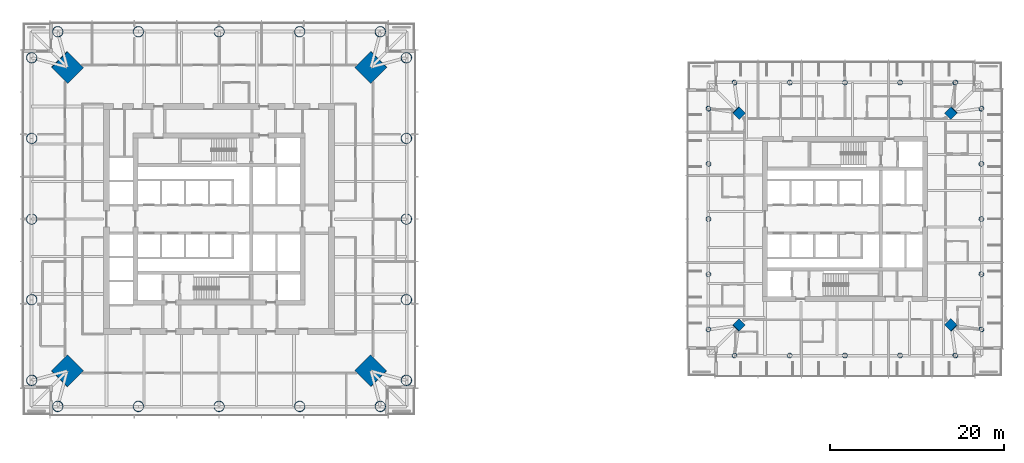
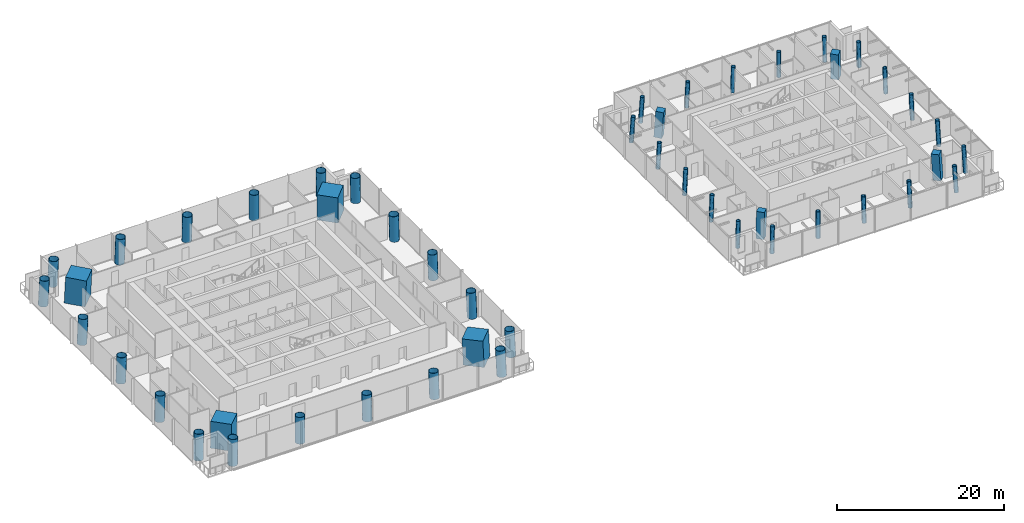
# One storey, part 1 of 18: 48 columns.
"""IFC4 building model written with IfcOpenShell, lengths in metres."""

from ifc_helpers import new_model, si_unit, direction, frame, origin, origin_2d, place, context, subcontext, project, spatial, rectangle, hollow_circle, extrude, material, material_profile, profile_set, type_object, element, save


model = new_model("IFC4")

# Units and contexts
model_context = context("Model", 3, precision=1e-05, world=origin(), true_north=direction((0.0, 1.0)))
body_context = subcontext(model_context, "Body", "Model", "MODEL_VIEW")
ifc_project = project(units=[si_unit("LENGTHUNIT", "METRE"), si_unit("AREAUNIT", "SQUARE_METRE"), si_unit("VOLUMEUNIT", "CUBIC_METRE"), si_unit("PLANEANGLEUNIT", "RADIAN"), si_unit("MASSUNIT", "GRAM", prefix="KILO")], contexts=[model_context])

# Site, building, storey
site_placement = place(None, origin())
site = spatial("IfcSite", under=ifc_project, at=site_placement, CompositionType="ELEMENT")
building_placement = place(site_placement, origin())
building = spatial("IfcBuilding", under=site, at=building_placement, Name="Ostroluk Exchange", CompositionType="ELEMENT")
storey_placement = place(building_placement, frame((0.0, 0.0, 97.0)))
storey = spatial("IfcBuildingStorey", under=building, at=storey_placement, Name="L24", CompositionType="ELEMENT", Elevation=97.0)

# Columns
ifc_material_1 = material(Name="Concrete C50/60", Category="concrete")
ifc_material_profile_1 = material_profile(ifc_material_1, rectangle(XDim=1.0, YDim=1.0, at=origin_2d()), Name="RC 1000x1000")
ifc_profile_set_1 = profile_set([ifc_material_profile_1], Name="Concrete C50/60")
column_type_1 = type_object("IfcColumnType", Name="Mega column RC 1000x1000", PredefinedType="COLUMN", material=ifc_profile_set_1)
for number, where, z_axis, x_axis, name in (
    (1, (129.22412109375, 58.22412109375, 0.0), (-0.043029647111, -0.043029647111, 0.998146732169), (0.707106781187, -0.707106781187, 0.0), "T2 mega column NE"),
    (2, (104.77587890625, 58.22412109375, 0.0), (0.043029647111, -0.043029647111, 0.998146732169), (0.707106781187, 0.707106781187, 0.0), "T2 mega column NW"),
    (3, (104.77587890625, 33.77587890625, 0.0), (0.043029647111, 0.043029647111, 0.998146732169), (-0.707106781187, 0.707106781187, 0.0), "T2 mega column SW"),
    (4, (129.22412109375, 33.77587890625, 0.0), (-0.043029647111, 0.043029647111, 0.998146732169), (-0.707106781187, -0.707106781187, 0.0), "T2 mega column SE"),
):
    element("IfcColumn", number, at=place(storey_placement, frame(where, z_axis=z_axis, x_axis=x_axis)), inside=storey, type_object=column_type_1, Name=name, PredefinedType="COLUMN", context=body_context, shape_type="SweptSolid", body=[
        extrude(rectangle(XDim=1.0, YDim=1.0, at=origin_2d()), origin(), (0.0, 0.0, 1.0), 3.80712890625),
    ])
ifc_material_2 = material(Name="Concrete C50/60", Category="concrete")
ifc_material_profile_2 = material_profile(ifc_material_2, rectangle(XDim=2.60009765625, YDim=2.60009765625, at=origin_2d()), Name="RC 2600x2600")
ifc_profile_set_2 = profile_set([ifc_material_profile_2], Name="Concrete C50/60")
column_type_2 = type_object("IfcColumnType", Name="Mega column RC 2600x2600", PredefinedType="COLUMN", material=ifc_profile_set_2)
for number, where, z_axis, x_axis, name in (
    (5, (62.471435546875, 63.471435546875, 0.0), (-0.031898107953, -0.031898107953, 0.998981992539), (0.707106781187, -0.707106781187, 0.0), "T1 mega column NE"),
    (6, (27.528564453125, 63.471435546875, 0.0), (0.031898107953, -0.031898107953, 0.998981992539), (0.707106781187, 0.707106781187, 0.0), "T1 mega column NW"),
    (7, (27.528564453125, 28.528564453125, 0.0), (0.031898107953, 0.031898107953, 0.998981992539), (-0.707106781187, 0.707106781187, 0.0), "T1 mega column SW"),
    (8, (62.471435546875, 28.528564453125, 0.0), (-0.031898107953, 0.031898107953, 0.998981992539), (-0.707106781187, -0.707106781187, 0.0), "T1 mega column SE"),
):
    element("IfcColumn", number, at=place(storey_placement, frame(where, z_axis=z_axis, x_axis=x_axis)), inside=storey, type_object=column_type_2, Name=name, PredefinedType="COLUMN", context=body_context, shape_type="SweptSolid", body=[
        extrude(rectangle(XDim=2.60009765625, YDim=2.60009765625, at=origin_2d()), origin(), (0.0, 0.0, 1.0), 3.803955078125),
    ])
ifc_material_3 = material(Name="Steel S460", Category="steel")
ifc_material_profile_3 = material_profile(ifc_material_3, hollow_circle(Radius=0.609619140625, WallThickness=0.0400390625, at=origin_2d()), Name="CHS 1219x40")
ifc_profile_set_3 = profile_set([ifc_material_profile_3], Name="Steel S460")
column_type_3 = type_object("IfcColumnType", Name="Perimeter column CHS 1219x40", PredefinedType="COLUMN", material=ifc_profile_set_3)
for number, where, z_axis, x_axis, name in (
    (9, (66.571533203125, 27.428466796875, 0.0), (-0.031962158256, 0.031962158256, 0.998977898093), (-0.707106781187, -0.707106781187, 0.0), "T1 east face column E0"),
    (10, (66.571533203125, 64.571533203125, 0.0), (-0.031962158256, -0.031962158256, 0.998977898093), (0.707106781187, -0.707106781187, 0.0), "T1 east face column E1"),
):
    element("IfcColumn", number, at=place(storey_placement, frame(where, z_axis=z_axis, x_axis=x_axis)), inside=storey, type_object=column_type_3, Name=name, PredefinedType="COLUMN", context=body_context, shape_type="SweptSolid", body=[
        extrude(hollow_circle(Radius=0.609619140625, WallThickness=0.0400390625, at=origin_2d()), origin(), (0.0, 0.0, 1.0), 3.803955078125),
    ])
column_1_placement = place(storey_placement, frame((66.571533203125, 36.71435546875, 0.0), z_axis=(-0.031974442509, 0.015923015547, 0.999361842679), x_axis=(-0.445775033553, -0.895145027055, 0.0)))
element("IfcColumn", 11, at=column_1_placement, inside=storey, type_object=column_type_3, Name="T1 east face column I1", PredefinedType="COLUMN", context=body_context, shape_type="SweptSolid", body=[
    extrude(hollow_circle(Radius=0.609619140625, WallThickness=0.0400390625, at=origin_2d()), origin(), (0.0, 0.0, 1.0), 3.802490234375),
])
column_2_placement = place(storey_placement, frame((66.571533203125, 46.0, 0.0), z_axis=(-0.031978496719, 0.0, 0.999488557087), x_axis=(0.0, -1.0, 0.0)))
element("IfcColumn", 12, at=column_2_placement, inside=storey, type_object=column_type_3, Name="T1 east face column I2", PredefinedType="COLUMN", context=body_context, shape_type="SweptSolid", body=[
    extrude(hollow_circle(Radius=0.609619140625, WallThickness=0.0400390625, at=origin_2d()), origin(), (0.0, 0.0, 1.0), 3.802001953125),
])
column_3_placement = place(storey_placement, frame((66.571533203125, 55.28564453125, 0.0), z_axis=(-0.031974442509, -0.015923015547, 0.999361842679), x_axis=(0.445775033553, -0.895145027055, 0.0)))
element("IfcColumn", 13, at=column_3_placement, inside=storey, type_object=column_type_3, Name="T1 east face column I3", PredefinedType="COLUMN", context=body_context, shape_type="SweptSolid", body=[
    extrude(hollow_circle(Radius=0.609619140625, WallThickness=0.0400390625, at=origin_2d()), origin(), (0.0, 0.0, 1.0), 3.802490234375),
])
for number, where, z_axis, x_axis, name in (
    (14, (63.571533203125, 67.571533203125, 0.0), (-0.031962158256, -0.031962158256, 0.998977898093), (0.707106781187, -0.707106781187, 0.0), "T1 north face column E0"),
    (15, (26.428466796875, 67.571533203125, 0.0), (0.031962158256, -0.031962158256, 0.998977898093), (0.707106781187, 0.707106781187, 0.0), "T1 north face column E1"),
):
    element("IfcColumn", number, at=place(storey_placement, frame(where, z_axis=z_axis, x_axis=x_axis)), inside=storey, type_object=column_type_3, Name=name, PredefinedType="COLUMN", context=body_context, shape_type="SweptSolid", body=[
        extrude(hollow_circle(Radius=0.609619140625, WallThickness=0.0400390625, at=origin_2d()), origin(), (0.0, 0.0, 1.0), 3.803955078125),
    ])
column_4_placement = place(storey_placement, frame((54.28564453125, 67.571533203125, 0.0), z_axis=(-0.015923015547, -0.031974442509, 0.999361842679), x_axis=(0.895145027055, -0.445775033553, 0.0)))
element("IfcColumn", 16, at=column_4_placement, inside=storey, type_object=column_type_3, Name="T1 north face column I1", PredefinedType="COLUMN", context=body_context, shape_type="SweptSolid", body=[
    extrude(hollow_circle(Radius=0.609619140625, WallThickness=0.0400390625, at=origin_2d()), origin(), (0.0, 0.0, 1.0), 3.802490234375),
])
column_5_placement = place(storey_placement, frame((45.0, 67.571533203125, 0.0), z_axis=(0.0, -0.031978496719, 0.999488557087), x_axis=(1.0, 0.0, 0.0)))
element("IfcColumn", 17, at=column_5_placement, inside=storey, type_object=column_type_3, Name="T1 north face column I2", PredefinedType="COLUMN", context=body_context, shape_type="SweptSolid", body=[
    extrude(hollow_circle(Radius=0.609619140625, WallThickness=0.0400390625, at=origin_2d()), origin(), (0.0, 0.0, 1.0), 3.802001953125),
])
column_6_placement = place(storey_placement, frame((35.71435546875, 67.571533203125, 0.0), z_axis=(0.015923015547, -0.031974442509, 0.999361842679), x_axis=(0.895145027055, 0.445775033553, 0.0)))
element("IfcColumn", 18, at=column_6_placement, inside=storey, type_object=column_type_3, Name="T1 north face column I3", PredefinedType="COLUMN", context=body_context, shape_type="SweptSolid", body=[
    extrude(hollow_circle(Radius=0.609619140625, WallThickness=0.0400390625, at=origin_2d()), origin(), (0.0, 0.0, 1.0), 3.802490234375),
])
for number, where, z_axis, x_axis, name in (
    (19, (23.428466796875, 64.571533203125, 0.0), (0.031962158256, -0.031962158256, 0.998977898093), (0.707106781187, 0.707106781187, 0.0), "T1 west face column E0"),
    (20, (23.428466796875, 27.428466796875, 0.0), (0.031962158256, 0.031962158256, 0.998977898093), (-0.707106781187, 0.707106781187, 0.0), "T1 west face column E1"),
):
    element("IfcColumn", number, at=place(storey_placement, frame(where, z_axis=z_axis, x_axis=x_axis)), inside=storey, type_object=column_type_3, Name=name, PredefinedType="COLUMN", context=body_context, shape_type="SweptSolid", body=[
        extrude(hollow_circle(Radius=0.609619140625, WallThickness=0.0400390625, at=origin_2d()), origin(), (0.0, 0.0, 1.0), 3.803955078125),
    ])
column_7_placement = place(storey_placement, frame((23.428466796875, 55.28564453125, 0.0), z_axis=(0.031974442509, -0.015923015547, 0.999361842679), x_axis=(0.445775033553, 0.895145027055, 0.0)))
element("IfcColumn", 21, at=column_7_placement, inside=storey, type_object=column_type_3, Name="T1 west face column I1", PredefinedType="COLUMN", context=body_context, shape_type="SweptSolid", body=[
    extrude(hollow_circle(Radius=0.609619140625, WallThickness=0.0400390625, at=origin_2d()), origin(), (0.0, 0.0, 1.0), 3.802490234375),
])
column_8_placement = place(storey_placement, frame((23.428466796875, 46.0, 0.0), z_axis=(0.031978496719, 0.0, 0.999488557087), x_axis=(0.0, 1.0, 0.0)))
element("IfcColumn", 22, at=column_8_placement, inside=storey, type_object=column_type_3, Name="T1 west face column I2", PredefinedType="COLUMN", context=body_context, shape_type="SweptSolid", body=[
    extrude(hollow_circle(Radius=0.609619140625, WallThickness=0.0400390625, at=origin_2d()), origin(), (0.0, 0.0, 1.0), 3.802001953125),
])
column_9_placement = place(storey_placement, frame((23.428466796875, 36.71435546875, 0.0), z_axis=(0.031974442509, 0.015923015547, 0.999361842679), x_axis=(-0.445775033553, 0.895145027055, 0.0)))
element("IfcColumn", 23, at=column_9_placement, inside=storey, type_object=column_type_3, Name="T1 west face column I3", PredefinedType="COLUMN", context=body_context, shape_type="SweptSolid", body=[
    extrude(hollow_circle(Radius=0.609619140625, WallThickness=0.0400390625, at=origin_2d()), origin(), (0.0, 0.0, 1.0), 3.802490234375),
])
for number, where, z_axis, x_axis, name in (
    (24, (26.428466796875, 24.428466796875, 0.0), (0.031962158256, 0.031962158256, 0.998977898093), (-0.707106781187, 0.707106781187, 0.0), "T1 south face column E0"),
    (25, (63.571533203125, 24.428466796875, 0.0), (-0.031962158256, 0.031962158256, 0.998977898093), (-0.707106781187, -0.707106781187, 0.0), "T1 south face column E1"),
):
    element("IfcColumn", number, at=place(storey_placement, frame(where, z_axis=z_axis, x_axis=x_axis)), inside=storey, type_object=column_type_3, Name=name, PredefinedType="COLUMN", context=body_context, shape_type="SweptSolid", body=[
        extrude(hollow_circle(Radius=0.609619140625, WallThickness=0.0400390625, at=origin_2d()), origin(), (0.0, 0.0, 1.0), 3.803955078125),
    ])
column_10_placement = place(storey_placement, frame((35.71435546875, 24.428466796875, 0.0), z_axis=(0.015923015547, 0.031974442509, 0.999361842679), x_axis=(-0.895145027055, 0.445775033553, 0.0)))
element("IfcColumn", 26, at=column_10_placement, inside=storey, type_object=column_type_3, Name="T1 south face column I1", PredefinedType="COLUMN", context=body_context, shape_type="SweptSolid", body=[
    extrude(hollow_circle(Radius=0.609619140625, WallThickness=0.0400390625, at=origin_2d()), origin(), (0.0, 0.0, 1.0), 3.802490234375),
])
column_11_placement = place(storey_placement, frame((45.0, 24.428466796875, 0.0), z_axis=(0.0, 0.031978496719, 0.999488557087), x_axis=(-1.0, 0.0, 0.0)))
element("IfcColumn", 27, at=column_11_placement, inside=storey, type_object=column_type_3, Name="T1 south face column I2", PredefinedType="COLUMN", context=body_context, shape_type="SweptSolid", body=[
    extrude(hollow_circle(Radius=0.609619140625, WallThickness=0.0400390625, at=origin_2d()), origin(), (0.0, 0.0, 1.0), 3.802001953125),
])
column_12_placement = place(storey_placement, frame((54.28564453125, 24.428466796875, 0.0), z_axis=(-0.015923015547, 0.031974442509, 0.999361842679), x_axis=(-0.895145027055, -0.445775033553, 0.0)))
element("IfcColumn", 28, at=column_12_placement, inside=storey, type_object=column_type_3, Name="T1 south face column I3", PredefinedType="COLUMN", context=body_context, shape_type="SweptSolid", body=[
    extrude(hollow_circle(Radius=0.609619140625, WallThickness=0.0400390625, at=origin_2d()), origin(), (0.0, 0.0, 1.0), 3.802490234375),
])
ifc_material_4 = material(Name="Steel S460", Category="steel")
ifc_material_profile_4 = material_profile(ifc_material_4, hollow_circle(Radius=0.279541015625, WallThickness=0.02001953125, at=origin_2d()), Name="CHS 559x20")
ifc_profile_set_4 = profile_set([ifc_material_profile_4], Name="Steel S460")
column_type_4 = type_object("IfcColumnType", Name="Perimeter column CHS 559x20", PredefinedType="COLUMN", material=ifc_profile_set_4)
for number, where, z_axis, x_axis, name in (
    (29, (132.72412109375, 33.27587890625, 0.0), (-0.043029647111, 0.043029647111, 0.998146732169), (-0.707106781187, -0.707106781187, 0.0), "T2 east face column E0"),
    (30, (132.72412109375, 58.72412109375, 0.0), (-0.043029647111, -0.043029647111, 0.998146732169), (0.707106781187, -0.707106781187, 0.0), "T2 east face column E1"),
):
    element("IfcColumn", number, at=place(storey_placement, frame(where, z_axis=z_axis, x_axis=x_axis)), inside=storey, type_object=column_type_4, Name=name, PredefinedType="COLUMN", context=body_context, shape_type="SweptSolid", body=[
        extrude(hollow_circle(Radius=0.279541015625, WallThickness=0.02001953125, at=origin_2d()), origin(), (0.0, 0.0, 1.0), 3.80712890625),
    ])
column_13_placement = place(storey_placement, frame((132.72412109375, 39.637939453125, 0.0), z_axis=(-0.043059584825, 0.021497706284, 0.998841188968), x_axis=(-0.446680166538, -0.894693706707, 0.0)))
element("IfcColumn", 31, at=column_13_placement, inside=storey, type_object=column_type_4, Name="T2 east face column I1", PredefinedType="COLUMN", context=body_context, shape_type="SweptSolid", body=[
    extrude(hollow_circle(Radius=0.279541015625, WallThickness=0.02001953125, at=origin_2d()), origin(), (0.0, 0.0, 1.0), 3.804443359375),
])
column_14_placement = place(storey_placement, frame((132.72412109375, 46.0, 0.0), z_axis=(-0.043069538298, 0.0, 0.999072076915), x_axis=(0.0, -1.0, 0.0)))
element("IfcColumn", 32, at=column_14_placement, inside=storey, type_object=column_type_4, Name="T2 east face column I2", PredefinedType="COLUMN", context=body_context, shape_type="SweptSolid", body=[
    extrude(hollow_circle(Radius=0.279541015625, WallThickness=0.02001953125, at=origin_2d()), origin(), (0.0, 0.0, 1.0), 3.803466796875),
])
column_15_placement = place(storey_placement, frame((132.72412109375, 52.362060546875, 0.0), z_axis=(-0.043059584825, -0.021497706284, 0.998841188968), x_axis=(0.446680166538, -0.894693706707, 0.0)))
element("IfcColumn", 33, at=column_15_placement, inside=storey, type_object=column_type_4, Name="T2 east face column I3", PredefinedType="COLUMN", context=body_context, shape_type="SweptSolid", body=[
    extrude(hollow_circle(Radius=0.279541015625, WallThickness=0.02001953125, at=origin_2d()), origin(), (0.0, 0.0, 1.0), 3.804443359375),
])
for number, where, z_axis, x_axis, name in (
    (34, (129.72412109375, 61.72412109375, 0.0), (-0.043029647111, -0.043029647111, 0.998146732169), (0.707106781187, -0.707106781187, 0.0), "T2 north face column E0"),
    (35, (104.27587890625, 61.72412109375, 0.0), (0.043029647111, -0.043029647111, 0.998146732169), (0.707106781187, 0.707106781187, 0.0), "T2 north face column E1"),
):
    element("IfcColumn", number, at=place(storey_placement, frame(where, z_axis=z_axis, x_axis=x_axis)), inside=storey, type_object=column_type_4, Name=name, PredefinedType="COLUMN", context=body_context, shape_type="SweptSolid", body=[
        extrude(hollow_circle(Radius=0.279541015625, WallThickness=0.02001953125, at=origin_2d()), origin(), (0.0, 0.0, 1.0), 3.80712890625),
    ])
column_16_placement = place(storey_placement, frame((123.362060546875, 61.72412109375, 0.0), z_axis=(-0.021497706284, -0.043059584825, 0.998841188968), x_axis=(0.894693706707, -0.446680166538, 0.0)))
element("IfcColumn", 36, at=column_16_placement, inside=storey, type_object=column_type_4, Name="T2 north face column I1", PredefinedType="COLUMN", context=body_context, shape_type="SweptSolid", body=[
    extrude(hollow_circle(Radius=0.279541015625, WallThickness=0.02001953125, at=origin_2d()), origin(), (0.0, 0.0, 1.0), 3.804443359375),
])
column_17_placement = place(storey_placement, frame((117.0, 61.72412109375, 0.0), z_axis=(0.0, -0.043069538298, 0.999072076915), x_axis=(1.0, 0.0, 0.0)))
element("IfcColumn", 37, at=column_17_placement, inside=storey, type_object=column_type_4, Name="T2 north face column I2", PredefinedType="COLUMN", context=body_context, shape_type="SweptSolid", body=[
    extrude(hollow_circle(Radius=0.279541015625, WallThickness=0.02001953125, at=origin_2d()), origin(), (0.0, 0.0, 1.0), 3.803466796875),
])
column_18_placement = place(storey_placement, frame((110.637939453125, 61.72412109375, 0.0), z_axis=(0.021497706284, -0.043059584825, 0.998841188968), x_axis=(0.894693706707, 0.446680166538, 0.0)))
element("IfcColumn", 38, at=column_18_placement, inside=storey, type_object=column_type_4, Name="T2 north face column I3", PredefinedType="COLUMN", context=body_context, shape_type="SweptSolid", body=[
    extrude(hollow_circle(Radius=0.279541015625, WallThickness=0.02001953125, at=origin_2d()), origin(), (0.0, 0.0, 1.0), 3.804443359375),
])
for number, where, z_axis, x_axis, name in (
    (39, (101.27587890625, 58.72412109375, 0.0), (0.043029647111, -0.043029647111, 0.998146732169), (0.707106781187, 0.707106781187, 0.0), "T2 west face column E0"),
    (40, (101.27587890625, 33.27587890625, 0.0), (0.043029647111, 0.043029647111, 0.998146732169), (-0.707106781187, 0.707106781187, 0.0), "T2 west face column E1"),
):
    element("IfcColumn", number, at=place(storey_placement, frame(where, z_axis=z_axis, x_axis=x_axis)), inside=storey, type_object=column_type_4, Name=name, PredefinedType="COLUMN", context=body_context, shape_type="SweptSolid", body=[
        extrude(hollow_circle(Radius=0.279541015625, WallThickness=0.02001953125, at=origin_2d()), origin(), (0.0, 0.0, 1.0), 3.80712890625),
    ])
column_19_placement = place(storey_placement, frame((101.27587890625, 52.362060546875, 0.0), z_axis=(0.043059584825, -0.021497706284, 0.998841188968), x_axis=(0.446680166538, 0.894693706707, 0.0)))
element("IfcColumn", 41, at=column_19_placement, inside=storey, type_object=column_type_4, Name="T2 west face column I1", PredefinedType="COLUMN", context=body_context, shape_type="SweptSolid", body=[
    extrude(hollow_circle(Radius=0.279541015625, WallThickness=0.02001953125, at=origin_2d()), origin(), (0.0, 0.0, 1.0), 3.804443359375),
])
column_20_placement = place(storey_placement, frame((101.27587890625, 46.0, 0.0), z_axis=(0.043069538298, 0.0, 0.999072076915), x_axis=(0.0, 1.0, 0.0)))
element("IfcColumn", 42, at=column_20_placement, inside=storey, type_object=column_type_4, Name="T2 west face column I2", PredefinedType="COLUMN", context=body_context, shape_type="SweptSolid", body=[
    extrude(hollow_circle(Radius=0.279541015625, WallThickness=0.02001953125, at=origin_2d()), origin(), (0.0, 0.0, 1.0), 3.803466796875),
])
column_21_placement = place(storey_placement, frame((101.27587890625, 39.637939453125, 0.0), z_axis=(0.043059584825, 0.021497706284, 0.998841188968), x_axis=(-0.446680166538, 0.894693706707, 0.0)))
element("IfcColumn", 43, at=column_21_placement, inside=storey, type_object=column_type_4, Name="T2 west face column I3", PredefinedType="COLUMN", context=body_context, shape_type="SweptSolid", body=[
    extrude(hollow_circle(Radius=0.279541015625, WallThickness=0.02001953125, at=origin_2d()), origin(), (0.0, 0.0, 1.0), 3.804443359375),
])
for number, where, z_axis, x_axis, name in (
    (44, (104.27587890625, 30.27587890625, 0.0), (0.043029647111, 0.043029647111, 0.998146732169), (-0.707106781187, 0.707106781187, 0.0), "T2 south face column E0"),
    (45, (129.72412109375, 30.27587890625, 0.0), (-0.043029647111, 0.043029647111, 0.998146732169), (-0.707106781187, -0.707106781187, 0.0), "T2 south face column E1"),
):
    element("IfcColumn", number, at=place(storey_placement, frame(where, z_axis=z_axis, x_axis=x_axis)), inside=storey, type_object=column_type_4, Name=name, PredefinedType="COLUMN", context=body_context, shape_type="SweptSolid", body=[
        extrude(hollow_circle(Radius=0.279541015625, WallThickness=0.02001953125, at=origin_2d()), origin(), (0.0, 0.0, 1.0), 3.80712890625),
    ])
column_22_placement = place(storey_placement, frame((110.637939453125, 30.27587890625, 0.0), z_axis=(0.021497706284, 0.043059584825, 0.998841188968), x_axis=(-0.894693706707, 0.446680166538, 0.0)))
element("IfcColumn", 46, at=column_22_placement, inside=storey, type_object=column_type_4, Name="T2 south face column I1", PredefinedType="COLUMN", context=body_context, shape_type="SweptSolid", body=[
    extrude(hollow_circle(Radius=0.279541015625, WallThickness=0.02001953125, at=origin_2d()), origin(), (0.0, 0.0, 1.0), 3.804443359375),
])
column_23_placement = place(storey_placement, frame((117.0, 30.27587890625, 0.0), z_axis=(0.0, 0.043069538298, 0.999072076915), x_axis=(-1.0, 0.0, 0.0)))
element("IfcColumn", 47, at=column_23_placement, inside=storey, type_object=column_type_4, Name="T2 south face column I2", PredefinedType="COLUMN", context=body_context, shape_type="SweptSolid", body=[
    extrude(hollow_circle(Radius=0.279541015625, WallThickness=0.02001953125, at=origin_2d()), origin(), (0.0, 0.0, 1.0), 3.803466796875),
])
column_24_placement = place(storey_placement, frame((123.362060546875, 30.27587890625, 0.0), z_axis=(-0.021497706284, 0.043059584825, 0.998841188968), x_axis=(-0.894693706707, -0.446680166538, 0.0)))
element("IfcColumn", 48, at=column_24_placement, inside=storey, type_object=column_type_4, Name="T2 south face column I3", PredefinedType="COLUMN", context=body_context, shape_type="SweptSolid", body=[
    extrude(hollow_circle(Radius=0.279541015625, WallThickness=0.02001953125, at=origin_2d()), origin(), (0.0, 0.0, 1.0), 3.804443359375),
])

save(model, "model.ifc")
